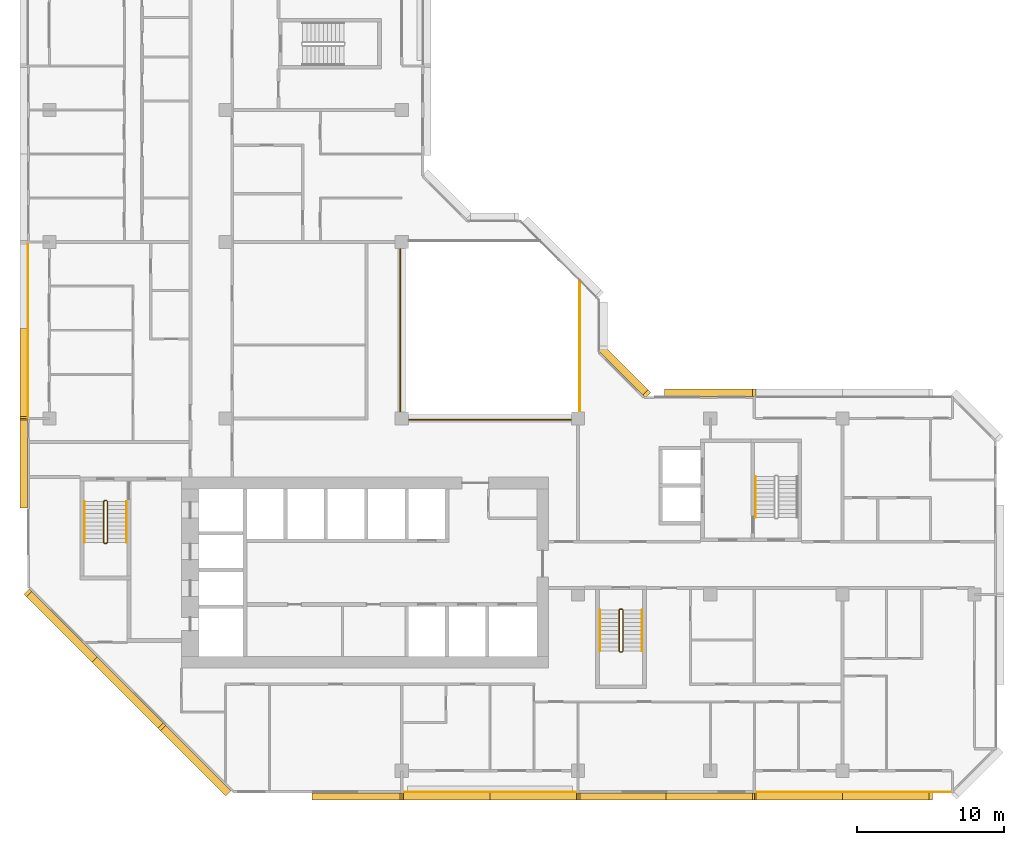
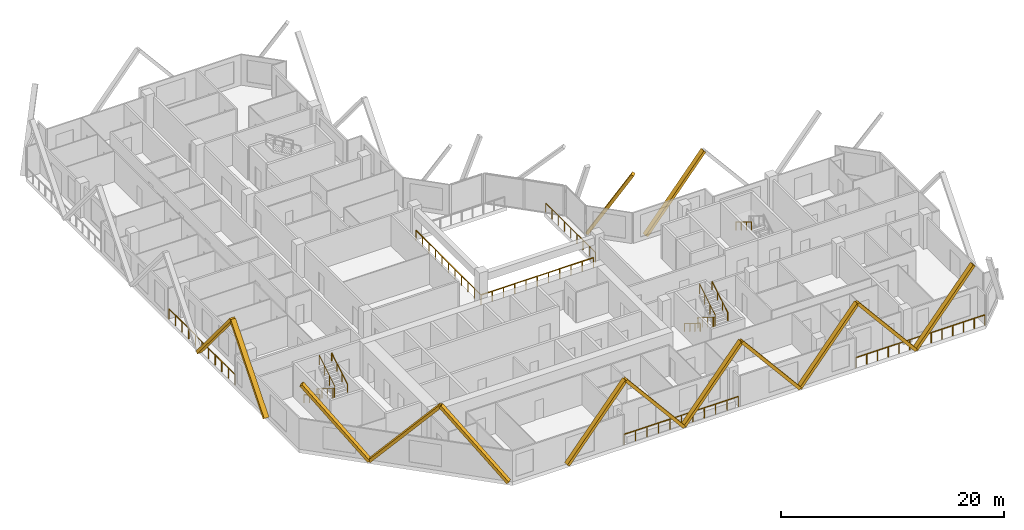
# One storey, part 13 of 14: 14 coverings, 12 railings.
"""IFC4 building model written with IfcOpenShell, lengths in metres."""

from ifc_helpers import new_model, si_unit, direction, frame, origin, origin_2d, place, context, subcontext, project, spatial, rectangle, extrude, material, material_profile, profile_set, type_object, element, save


model = new_model("IFC4")

# Units and contexts
model_context = context("Model", 3, precision=1e-05, world=origin(), true_north=direction((0.0, 1.0)))
body_context = subcontext(model_context, "Body", "Model", "MODEL_VIEW")
ifc_project = project(units=[si_unit("LENGTHUNIT", "METRE"), si_unit("AREAUNIT", "SQUARE_METRE"), si_unit("VOLUMEUNIT", "CUBIC_METRE"), si_unit("PLANEANGLEUNIT", "RADIAN"), si_unit("MASSUNIT", "GRAM", prefix="KILO")], contexts=[model_context])

# Site, building, storey
site_placement = place(None, origin())
site = spatial("IfcSite", under=ifc_project, at=site_placement, CompositionType="ELEMENT")
building_placement = place(site_placement, origin())
building = spatial("IfcBuilding", under=site, at=building_placement, Name="Chenar Terraces", CompositionType="ELEMENT")
storey_placement = place(building_placement, frame((0.0, 0.0, 157.39990234375)))
storey = spatial("IfcBuildingStorey", under=building, at=storey_placement, Name="L35", CompositionType="ELEMENT", Elevation=157.39990234375)

# Railings
ifc_material_1 = material(Name="Powder-coated steel", Category="steel")
railing_type_1 = type_object("IfcRailingType", Name="Guard 1100 steel rail with glass infill", PredefinedType="GUARDRAIL", material=ifc_material_1)
railing_1_placement = place(storey_placement, frame((23.89990234375, 35.550048828125, 0.0)))
element("IfcRailing", 1, at=railing_1_placement, inside=storey, type_object=railing_type_1, Name="Guard L35-1", PredefinedType="GUARDRAIL", context=body_context, shape_type="SweptSolid", body=[
    extrude(rectangle(XDim=0.06005859375, YDim=0.06005859375, at=origin_2d()), frame((0.0, 0.0, 1.070068359375), z_axis=(0.0, -1.0, 0.0), x_axis=(1.0, 0.0, 0.0)), (0.0, 0.0, 1.0), 11.650146484375),
    extrude(rectangle(XDim=0.06005859375, YDim=0.06005859375, at=origin_2d()), frame((0.0, -11.650146484375, 1.070068359375), z_axis=(1.0, 0.0, 0.0), x_axis=(0.0, 1.0, 0.0)), (0.0, 0.0, 1.0), 11.650146484375),
    extrude(rectangle(XDim=0.050048828125, YDim=0.050048828125, at=origin_2d()), origin(), (0.0, 0.0, 1.0), 1.0400390625),
    extrude(rectangle(XDim=0.050048828125, YDim=0.050048828125, at=origin_2d()), frame((0.0, -1.1650390625, 0.0)), (0.0, 0.0, 1.0), 1.0400390625),
    extrude(rectangle(XDim=0.050048828125, YDim=0.050048828125, at=origin_2d()), frame((0.0, -2.330078125, 0.0)), (0.0, 0.0, 1.0), 1.0400390625),
    extrude(rectangle(XDim=0.050048828125, YDim=0.050048828125, at=origin_2d()), frame((0.0, -3.4951171875, 0.0)), (0.0, 0.0, 1.0), 1.0400390625),
    extrude(rectangle(XDim=0.050048828125, YDim=0.050048828125, at=origin_2d()), frame((0.0, -4.66015625, 0.0)), (0.0, 0.0, 1.0), 1.0400390625),
    extrude(rectangle(XDim=0.050048828125, YDim=0.050048828125, at=origin_2d()), frame((0.0, -5.8251953125, 0.0)), (0.0, 0.0, 1.0), 1.0400390625),
    extrude(rectangle(XDim=0.050048828125, YDim=0.050048828125, at=origin_2d()), frame((0.0, -6.989990234375, 0.0)), (0.0, 0.0, 1.0), 1.0400390625),
    extrude(rectangle(XDim=0.050048828125, YDim=0.050048828125, at=origin_2d()), frame((0.0, -8.155029296875, 0.0)), (0.0, 0.0, 1.0), 1.0400390625),
    extrude(rectangle(XDim=0.050048828125, YDim=0.050048828125, at=origin_2d()), frame((0.0, -9.320068359375, 0.0)), (0.0, 0.0, 1.0), 1.0400390625),
    extrude(rectangle(XDim=0.050048828125, YDim=0.050048828125, at=origin_2d()), frame((0.0, -10.485107421875, 0.0)), (0.0, 0.0, 1.0), 1.0400390625),
    extrude(rectangle(XDim=0.050048828125, YDim=0.050048828125, at=origin_2d()), frame((0.0, -11.650146484375, 0.0)), (0.0, 0.0, 1.0), 1.0400390625),
    extrude(rectangle(XDim=0.050048828125, YDim=0.050048828125, at=origin_2d()), frame((1.1650390625, -11.650146484375, 0.0)), (0.0, 0.0, 1.0), 1.0400390625),
    extrude(rectangle(XDim=0.050048828125, YDim=0.050048828125, at=origin_2d()), frame((2.330078125, -11.650146484375, 0.0)), (0.0, 0.0, 1.0), 1.0400390625),
    extrude(rectangle(XDim=0.050048828125, YDim=0.050048828125, at=origin_2d()), frame((3.4951171875, -11.650146484375, 0.0)), (0.0, 0.0, 1.0), 1.0400390625),
    extrude(rectangle(XDim=0.050048828125, YDim=0.050048828125, at=origin_2d()), frame((4.66015625, -11.650146484375, 0.0)), (0.0, 0.0, 1.0), 1.0400390625),
    extrude(rectangle(XDim=0.050048828125, YDim=0.050048828125, at=origin_2d()), frame((5.8251953125, -11.650146484375, 0.0)), (0.0, 0.0, 1.0), 1.0400390625),
    extrude(rectangle(XDim=0.050048828125, YDim=0.050048828125, at=origin_2d()), frame((6.989990234375, -11.650146484375, 0.0)), (0.0, 0.0, 1.0), 1.0400390625),
    extrude(rectangle(XDim=0.050048828125, YDim=0.050048828125, at=origin_2d()), frame((8.155029296875, -11.650146484375, 0.0)), (0.0, 0.0, 1.0), 1.0400390625),
    extrude(rectangle(XDim=0.050048828125, YDim=0.050048828125, at=origin_2d()), frame((9.320068359375, -11.650146484375, 0.0)), (0.0, 0.0, 1.0), 1.0400390625),
    extrude(rectangle(XDim=0.050048828125, YDim=0.050048828125, at=origin_2d()), frame((10.485107421875, -11.650146484375, 0.0)), (0.0, 0.0, 1.0), 1.0400390625),
    extrude(rectangle(XDim=0.050048828125, YDim=0.050048828125, at=origin_2d()), frame((11.650146484375, -11.650146484375, 0.0)), (0.0, 0.0, 1.0), 1.0400390625),
])
railing_2_placement = place(storey_placement, frame((36.10009765625, 24.5, 0.0)))
element("IfcRailing", 2, at=railing_2_placement, inside=storey, type_object=railing_type_1, Name="Guard L35-3", PredefinedType="GUARDRAIL", context=body_context, shape_type="SweptSolid", body=[
    extrude(rectangle(XDim=0.06005859375, YDim=0.06005859375, at=origin_2d()), frame((0.0, 0.0, 1.070068359375), z_axis=(0.0, 1.0, 0.0), x_axis=(-1.0, 0.0, 0.0)), (0.0, 0.0, 1.0), 8.89990234375),
    extrude(rectangle(XDim=0.050048828125, YDim=0.050048828125, at=origin_2d()), origin(), (0.0, 0.0, 1.0), 1.0400390625),
    extrude(rectangle(XDim=0.050048828125, YDim=0.050048828125, at=origin_2d()), frame((0.0, 1.112548828125, 0.0)), (0.0, 0.0, 1.0), 1.0400390625),
    extrude(rectangle(XDim=0.050048828125, YDim=0.050048828125, at=origin_2d()), frame((0.0, 2.22509765625, 0.0)), (0.0, 0.0, 1.0), 1.0400390625),
    extrude(rectangle(XDim=0.050048828125, YDim=0.050048828125, at=origin_2d()), frame((0.0, 3.33740234375, 0.0)), (0.0, 0.0, 1.0), 1.0400390625),
    extrude(rectangle(XDim=0.050048828125, YDim=0.050048828125, at=origin_2d()), frame((0.0, 4.449951171875, 0.0)), (0.0, 0.0, 1.0), 1.0400390625),
    extrude(rectangle(XDim=0.050048828125, YDim=0.050048828125, at=origin_2d()), frame((0.0, 5.5625, 0.0)), (0.0, 0.0, 1.0), 1.0400390625),
    extrude(rectangle(XDim=0.050048828125, YDim=0.050048828125, at=origin_2d()), frame((0.0, 6.6748046875, 0.0)), (0.0, 0.0, 1.0), 1.0400390625),
    extrude(rectangle(XDim=0.050048828125, YDim=0.050048828125, at=origin_2d()), frame((0.0, 7.787353515625, 0.0)), (0.0, 0.0, 1.0), 1.0400390625),
    extrude(rectangle(XDim=0.050048828125, YDim=0.050048828125, at=origin_2d()), frame((0.0, 8.89990234375, 0.0)), (0.0, 0.0, 1.0), 1.0400390625),
])
ifc_material_2 = material(Name="Stainless steel and glass", Category="steel")
railing_type_2 = type_object("IfcRailingType", Name="Loggia guard 1150", PredefinedType="GUARDRAIL", material=ifc_material_2)
railing_3_placement = place(storey_placement, frame((24.074951171875, -1.449951171875, 0.0)))
element("IfcRailing", 3, at=railing_3_placement, inside=storey, type_object=railing_type_2, Name="Loggia guard", PredefinedType="GUARDRAIL", context=body_context, shape_type="SweptSolid", body=[
    extrude(rectangle(XDim=0.048095703125, YDim=0.048095703125, at=origin_2d()), frame((0.0, 0.0, 1.1259765625), z_axis=(1.0, 0.0, 0.0), x_axis=(0.0, 1.0, 0.0)), (0.0, 0.0, 1.0), 11.85009765625),
    extrude(rectangle(XDim=0.0419921875, YDim=0.0419921875, at=origin_2d()), origin(), (0.0, 0.0, 1.0), 1.101806640625),
    extrude(rectangle(XDim=0.0419921875, YDim=0.0419921875, at=origin_2d()), frame((1.18505859375, 0.0, 0.0)), (0.0, 0.0, 1.0), 1.101806640625),
    extrude(rectangle(XDim=0.0419921875, YDim=0.0419921875, at=origin_2d()), frame((2.3701171875, 0.0, 0.0)), (0.0, 0.0, 1.0), 1.101806640625),
    extrude(rectangle(XDim=0.0419921875, YDim=0.0419921875, at=origin_2d()), frame((3.554931640625, 0.0, 0.0)), (0.0, 0.0, 1.0), 1.101806640625),
    extrude(rectangle(XDim=0.0419921875, YDim=0.0419921875, at=origin_2d()), frame((4.739990234375, 0.0, 0.0)), (0.0, 0.0, 1.0), 1.101806640625),
    extrude(rectangle(XDim=0.0419921875, YDim=0.0419921875, at=origin_2d()), frame((5.925048828125, 0.0, 0.0)), (0.0, 0.0, 1.0), 1.101806640625),
    extrude(rectangle(XDim=0.0419921875, YDim=0.0419921875, at=origin_2d()), frame((7.110107421875, 0.0, 0.0)), (0.0, 0.0, 1.0), 1.101806640625),
    extrude(rectangle(XDim=0.0419921875, YDim=0.0419921875, at=origin_2d()), frame((8.295166015625, 0.0, 0.0)), (0.0, 0.0, 1.0), 1.101806640625),
    extrude(rectangle(XDim=0.0419921875, YDim=0.0419921875, at=origin_2d()), frame((9.47998046875, 0.0, 0.0)), (0.0, 0.0, 1.0), 1.101806640625),
    extrude(rectangle(XDim=0.0419921875, YDim=0.0419921875, at=origin_2d()), frame((10.6650390625, 0.0, 0.0)), (0.0, 0.0, 1.0), 1.101806640625),
    extrude(rectangle(XDim=0.0419921875, YDim=0.0419921875, at=origin_2d()), frame((11.85009765625, 0.0, 0.0)), (0.0, 0.0, 1.0), 1.101806640625),
])
railing_4_placement = place(storey_placement, frame((48.074951171875, -1.449951171875, 0.0)))
element("IfcRailing", 4, at=railing_4_placement, inside=storey, type_object=railing_type_2, Name="Loggia guard", PredefinedType="GUARDRAIL", context=body_context, shape_type="SweptSolid", body=[
    extrude(rectangle(XDim=0.048095703125, YDim=0.048095703125, at=origin_2d()), frame((0.0, 0.0, 1.1259765625), z_axis=(1.0, 0.0, 0.0), x_axis=(0.0, 1.0, 0.0)), (0.0, 0.0, 1.0), 13.35009765625),
    extrude(rectangle(XDim=0.0419921875, YDim=0.0419921875, at=origin_2d()), origin(), (0.0, 0.0, 1.0), 1.101806640625),
    extrude(rectangle(XDim=0.0419921875, YDim=0.0419921875, at=origin_2d()), frame((1.112548828125, 0.0, 0.0)), (0.0, 0.0, 1.0), 1.101806640625),
    extrude(rectangle(XDim=0.0419921875, YDim=0.0419921875, at=origin_2d()), frame((2.22509765625, 0.0, 0.0)), (0.0, 0.0, 1.0), 1.101806640625),
    extrude(rectangle(XDim=0.0419921875, YDim=0.0419921875, at=origin_2d()), frame((3.33740234375, 0.0, 0.0)), (0.0, 0.0, 1.0), 1.101806640625),
    extrude(rectangle(XDim=0.0419921875, YDim=0.0419921875, at=origin_2d()), frame((4.449951171875, 0.0, 0.0)), (0.0, 0.0, 1.0), 1.101806640625),
    extrude(rectangle(XDim=0.0419921875, YDim=0.0419921875, at=origin_2d()), frame((5.5625, 0.0, 0.0)), (0.0, 0.0, 1.0), 1.101806640625),
    extrude(rectangle(XDim=0.0419921875, YDim=0.0419921875, at=origin_2d()), frame((6.675048828125, 0.0, 0.0)), (0.0, 0.0, 1.0), 1.101806640625),
    extrude(rectangle(XDim=0.0419921875, YDim=0.0419921875, at=origin_2d()), frame((7.78759765625, 0.0, 0.0)), (0.0, 0.0, 1.0), 1.101806640625),
    extrude(rectangle(XDim=0.0419921875, YDim=0.0419921875, at=origin_2d()), frame((8.900146484375, 0.0, 0.0)), (0.0, 0.0, 1.0), 1.101806640625),
    extrude(rectangle(XDim=0.0419921875, YDim=0.0419921875, at=origin_2d()), frame((10.0126953125, 0.0, 0.0)), (0.0, 0.0, 1.0), 1.101806640625),
    extrude(rectangle(XDim=0.0419921875, YDim=0.0419921875, at=origin_2d()), frame((11.125, 0.0, 0.0)), (0.0, 0.0, 1.0), 1.101806640625),
    extrude(rectangle(XDim=0.0419921875, YDim=0.0419921875, at=origin_2d()), frame((12.237548828125, 0.0, 0.0)), (0.0, 0.0, 1.0), 1.101806640625),
    extrude(rectangle(XDim=0.0419921875, YDim=0.0419921875, at=origin_2d()), frame((13.35009765625, 0.0, 0.0)), (0.0, 0.0, 1.0), 1.101806640625),
])
railing_5_placement = place(storey_placement, frame((-1.449951171875, 35.925048828125, 0.0)))
element("IfcRailing", 5, at=railing_5_placement, inside=storey, type_object=railing_type_2, Name="Loggia guard", PredefinedType="GUARDRAIL", context=body_context, shape_type="SweptSolid", body=[
    extrude(rectangle(XDim=0.048095703125, YDim=0.048095703125, at=origin_2d()), frame((0.0, 0.0, 1.1259765625), z_axis=(0.0, -1.0, 0.0), x_axis=(1.0, 0.0, 0.0)), (0.0, 0.0, 1.0), 11.85009765625),
    extrude(rectangle(XDim=0.0419921875, YDim=0.0419921875, at=origin_2d()), origin(), (0.0, 0.0, 1.0), 1.101806640625),
    extrude(rectangle(XDim=0.0419921875, YDim=0.0419921875, at=origin_2d()), frame((0.0, -1.18505859375, 0.0)), (0.0, 0.0, 1.0), 1.101806640625),
    extrude(rectangle(XDim=0.0419921875, YDim=0.0419921875, at=origin_2d()), frame((0.0, -2.3701171875, 0.0)), (0.0, 0.0, 1.0), 1.101806640625),
    extrude(rectangle(XDim=0.0419921875, YDim=0.0419921875, at=origin_2d()), frame((0.0, -3.554931640625, 0.0)), (0.0, 0.0, 1.0), 1.101806640625),
    extrude(rectangle(XDim=0.0419921875, YDim=0.0419921875, at=origin_2d()), frame((0.0, -4.739990234375, 0.0)), (0.0, 0.0, 1.0), 1.101806640625),
    extrude(rectangle(XDim=0.0419921875, YDim=0.0419921875, at=origin_2d()), frame((0.0, -5.925048828125, 0.0)), (0.0, 0.0, 1.0), 1.101806640625),
    extrude(rectangle(XDim=0.0419921875, YDim=0.0419921875, at=origin_2d()), frame((0.0, -7.110107421875, 0.0)), (0.0, 0.0, 1.0), 1.101806640625),
    extrude(rectangle(XDim=0.0419921875, YDim=0.0419921875, at=origin_2d()), frame((0.0, -8.295166015625, 0.0)), (0.0, 0.0, 1.0), 1.101806640625),
    extrude(rectangle(XDim=0.0419921875, YDim=0.0419921875, at=origin_2d()), frame((0.0, -9.47998046875, 0.0)), (0.0, 0.0, 1.0), 1.101806640625),
    extrude(rectangle(XDim=0.0419921875, YDim=0.0419921875, at=origin_2d()), frame((0.0, -10.6650390625, 0.0)), (0.0, 0.0, 1.0), 1.101806640625),
    extrude(rectangle(XDim=0.0419921875, YDim=0.0419921875, at=origin_2d()), frame((0.0, -11.85009765625, 0.0)), (0.0, 0.0, 1.0), 1.101806640625),
])
ifc_material_3 = material(Name="Powder-coated steel", Category="steel")
railing_type_3 = type_object("IfcRailingType", Name="Stair guard 1100", PredefinedType="GUARDRAIL", material=ifc_material_3)
railing_6_placement = place(storey_placement, frame((3.949951171875, 18.35009765625, 3.75)))
element("IfcRailing", 6, at=railing_6_placement, inside=storey, type_object=railing_type_3, Name="L35 ST1 stair guard 1", PredefinedType="GUARDRAIL", context=body_context, shape_type="SweptSolid", body=[
    extrude(rectangle(XDim=0.048095703125, YDim=0.048095703125, at=origin_2d()), frame((0.0, 0.0, 1.076171875), z_axis=(0.0, -0.854202870247, -0.519939858505), x_axis=(1.0, 0.0, 0.0)), (0.0, 0.0, 1.0), 3.278076171875),
    extrude(rectangle(XDim=0.048095703125, YDim=0.048095703125, at=origin_2d()), frame((0.0, -2.800048828125, -0.62841796875), z_axis=(-0.270899902878, -0.270899902878, -0.923702595667), x_axis=(0.707106781187, -0.707106781187, 0.0)), (0.0, 0.0, 1.0), 0.184814453125),
    extrude(rectangle(XDim=0.048095703125, YDim=0.048095703125, at=origin_2d()), frame((-0.050048828125, -2.85009765625, -0.798828125), z_axis=(-1.0, 0.0, 0.0), x_axis=(0.0, -1.0, 0.0)), (0.0, 0.0, 1.0), 0.14990234375),
    extrude(rectangle(XDim=0.048095703125, YDim=0.048095703125, at=origin_2d()), frame((-0.199951171875, -2.85009765625, -0.798828125), z_axis=(-0.707106781187, 0.707106781187, 0.0), x_axis=(-0.707106781187, -0.707106781187, 0.0)), (0.0, 0.0, 1.0), 0.07080078125),
    extrude(rectangle(XDim=0.048095703125, YDim=0.048095703125, at=origin_2d()), frame((-0.25, -2.800048828125, -0.798828125), z_axis=(0.0, 0.854202870247, -0.519939858505), x_axis=(-1.0, 0.0, 0.0)), (0.0, 0.0, 1.0), 3.278076171875),
    extrude(rectangle(XDim=0.048095703125, YDim=0.048095703125, at=origin_2d()), frame((-0.25, 0.0, -2.50341796875), z_axis=(0.270996696079, 0.269674760976, -0.924032636873), x_axis=(-0.705375805398, 0.708833529934, 0.0)), (0.0, 0.0, 1.0), 0.1845703125),
    extrude(rectangle(XDim=0.048095703125, YDim=0.048095703125, at=origin_2d()), frame((-0.199951171875, 0.0498046875, -2.673828125), z_axis=(1.0, 0.0, 0.0), x_axis=(0.0, 1.0, 0.0)), (0.0, 0.0, 1.0), 0.14990234375),
    extrude(rectangle(XDim=0.0419921875, YDim=0.0419921875, at=origin_2d()), origin(), (0.0, 0.0, 1.0), 1.052001953125),
    extrude(rectangle(XDim=0.0419921875, YDim=0.0419921875, at=origin_2d()), frame((0.0, -0.933349609375, -0.568115234375)), (0.0, 0.0, 1.0), 1.052001953125),
    extrude(rectangle(XDim=0.0419921875, YDim=0.0419921875, at=origin_2d()), frame((0.0, -1.86669921875, -1.13623046875)), (0.0, 0.0, 1.0), 1.052001953125),
    extrude(rectangle(XDim=0.0419921875, YDim=0.0419921875, at=origin_2d()), frame((0.0, -2.800048828125, -1.704345703125)), (0.0, 0.0, 1.0), 1.052001953125),
    extrude(rectangle(XDim=0.0419921875, YDim=0.0419921875, at=origin_2d()), frame((-0.050048828125, -2.85009765625, -1.875)), (0.0, 0.0, 1.0), 1.052001953125),
    extrude(rectangle(XDim=0.0419921875, YDim=0.0419921875, at=origin_2d()), frame((-0.199951171875, -2.85009765625, -1.875)), (0.0, 0.0, 1.0), 1.052001953125),
    extrude(rectangle(XDim=0.0419921875, YDim=0.0419921875, at=origin_2d()), frame((-0.25, -2.800048828125, -1.875)), (0.0, 0.0, 1.0), 1.052001953125),
    extrude(rectangle(XDim=0.0419921875, YDim=0.0419921875, at=origin_2d()), frame((-0.25, -1.86669921875, -2.443115234375)), (0.0, 0.0, 1.0), 1.052001953125),
    extrude(rectangle(XDim=0.0419921875, YDim=0.0419921875, at=origin_2d()), frame((-0.25, -0.933349609375, -3.01123046875)), (0.0, 0.0, 1.0), 1.052001953125),
    extrude(rectangle(XDim=0.0419921875, YDim=0.0419921875, at=origin_2d()), frame((-0.25, 0.0, -3.579345703125)), (0.0, 0.0, 1.0), 1.052001953125),
    extrude(rectangle(XDim=0.0419921875, YDim=0.0419921875, at=origin_2d()), frame((-0.199951171875, 0.0498046875, -3.75)), (0.0, 0.0, 1.0), 1.052001953125),
    extrude(rectangle(XDim=0.0419921875, YDim=0.0419921875, at=origin_2d()), frame((-0.050048828125, 0.0498046875, -3.75)), (0.0, 0.0, 1.0), 1.052001953125),
])
railing_7_placement = place(storey_placement, frame((39.050048828125, 10.949951171875, 3.75)))
element("IfcRailing", 7, at=railing_7_placement, inside=storey, type_object=railing_type_3, Name="L35 ST2 stair guard 1", PredefinedType="GUARDRAIL", context=body_context, shape_type="SweptSolid", body=[
    extrude(rectangle(XDim=0.048095703125, YDim=0.048095703125, at=origin_2d()), frame((0.0, 0.0, 1.076171875), z_axis=(0.0, -0.854202870247, -0.519939858505), x_axis=(1.0, 0.0, 0.0)), (0.0, 0.0, 1.0), 3.278076171875),
    extrude(rectangle(XDim=0.048095703125, YDim=0.048095703125, at=origin_2d()), frame((0.0, -2.800048828125, -0.62841796875), z_axis=(-0.270996696079, -0.269674760976, -0.924032636873), x_axis=(0.705375805398, -0.708833529934, 0.0)), (0.0, 0.0, 1.0), 0.1845703125),
    extrude(rectangle(XDim=0.048095703125, YDim=0.048095703125, at=origin_2d()), frame((-0.050048828125, -2.849853515625, -0.798828125), z_axis=(-1.0, 0.0, 0.0), x_axis=(0.0, -1.0, 0.0)), (0.0, 0.0, 1.0), 0.14990234375),
    extrude(rectangle(XDim=0.048095703125, YDim=0.048095703125, at=origin_2d()), frame((-0.199951171875, -2.849853515625, -0.798828125), z_axis=(-0.708833529934, 0.705375805398, 0.0), x_axis=(-0.705375805398, -0.708833529934, 0.0)), (0.0, 0.0, 1.0), 0.070556640625),
    extrude(rectangle(XDim=0.048095703125, YDim=0.048095703125, at=origin_2d()), frame((-0.25, -2.800048828125, -0.798828125), z_axis=(0.0, 0.854202870247, -0.519939858505), x_axis=(-1.0, 0.0, 0.0)), (0.0, 0.0, 1.0), 3.278076171875),
    extrude(rectangle(XDim=0.048095703125, YDim=0.048095703125, at=origin_2d()), frame((-0.25, 0.0, -2.50341796875), z_axis=(0.270899902878, 0.270899902878, -0.923702595667), x_axis=(-0.707106781187, 0.707106781187, 0.0)), (0.0, 0.0, 1.0), 0.184814453125),
    extrude(rectangle(XDim=0.048095703125, YDim=0.048095703125, at=origin_2d()), frame((-0.199951171875, 0.050048828125, -2.673828125), z_axis=(1.0, 0.0, 0.0), x_axis=(0.0, 1.0, 0.0)), (0.0, 0.0, 1.0), 0.14990234375),
    extrude(rectangle(XDim=0.0419921875, YDim=0.0419921875, at=origin_2d()), origin(), (0.0, 0.0, 1.0), 1.052001953125),
    extrude(rectangle(XDim=0.0419921875, YDim=0.0419921875, at=origin_2d()), frame((0.0, -0.933349609375, -0.568115234375)), (0.0, 0.0, 1.0), 1.052001953125),
    extrude(rectangle(XDim=0.0419921875, YDim=0.0419921875, at=origin_2d()), frame((0.0, -1.86669921875, -1.13623046875)), (0.0, 0.0, 1.0), 1.052001953125),
    extrude(rectangle(XDim=0.0419921875, YDim=0.0419921875, at=origin_2d()), frame((0.0, -2.800048828125, -1.704345703125)), (0.0, 0.0, 1.0), 1.052001953125),
    extrude(rectangle(XDim=0.0419921875, YDim=0.0419921875, at=origin_2d()), frame((-0.050048828125, -2.849853515625, -1.875)), (0.0, 0.0, 1.0), 1.052001953125),
    extrude(rectangle(XDim=0.0419921875, YDim=0.0419921875, at=origin_2d()), frame((-0.199951171875, -2.849853515625, -1.875)), (0.0, 0.0, 1.0), 1.052001953125),
    extrude(rectangle(XDim=0.0419921875, YDim=0.0419921875, at=origin_2d()), frame((-0.25, -2.800048828125, -1.875)), (0.0, 0.0, 1.0), 1.052001953125),
    extrude(rectangle(XDim=0.0419921875, YDim=0.0419921875, at=origin_2d()), frame((-0.25, -1.86669921875, -2.443115234375)), (0.0, 0.0, 1.0), 1.052001953125),
    extrude(rectangle(XDim=0.0419921875, YDim=0.0419921875, at=origin_2d()), frame((-0.25, -0.933349609375, -3.01123046875)), (0.0, 0.0, 1.0), 1.052001953125),
    extrude(rectangle(XDim=0.0419921875, YDim=0.0419921875, at=origin_2d()), frame((-0.25, 0.0, -3.579345703125)), (0.0, 0.0, 1.0), 1.052001953125),
    extrude(rectangle(XDim=0.0419921875, YDim=0.0419921875, at=origin_2d()), frame((-0.199951171875, 0.050048828125, -3.75)), (0.0, 0.0, 1.0), 1.052001953125),
    extrude(rectangle(XDim=0.0419921875, YDim=0.0419921875, at=origin_2d()), frame((-0.050048828125, 0.050048828125, -3.75)), (0.0, 0.0, 1.0), 1.052001953125),
])
ifc_material_4 = material(Name="Powder-coated steel", Category="steel")
railing_type_4 = type_object("IfcRailingType", Name="Stair handrail 900", PredefinedType="HANDRAIL", material=ifc_material_4)
railing_8_placement = place(storey_placement, frame((2.39990234375, 18.35009765625, 0.170654296875)))
element("IfcRailing", 8, at=railing_8_placement, inside=storey, type_object=railing_type_4, Name="L35 ST1 stair handrail 1", PredefinedType="HANDRAIL", context=body_context, shape_type="SweptSolid", body=[
    extrude(rectangle(XDim=0.048095703125, YDim=0.048095703125, at=origin_2d()), frame((0.0, 0.0, 0.8759765625), z_axis=(0.0, -0.854202870247, 0.519939858505), x_axis=(1.0, 0.0, 0.0)), (0.0, 0.0, 1.0), 3.278076171875),
    extrude(rectangle(XDim=0.0419921875, YDim=0.0419921875, at=origin_2d()), origin(), (0.0, 0.0, 1.0), 0.851806640625),
    extrude(rectangle(XDim=0.0419921875, YDim=0.0419921875, at=origin_2d()), frame((0.0, -0.933349609375, 0.568115234375)), (0.0, 0.0, 1.0), 0.851806640625),
    extrude(rectangle(XDim=0.0419921875, YDim=0.0419921875, at=origin_2d()), frame((0.0, -1.86669921875, 1.13623046875)), (0.0, 0.0, 1.0), 0.851806640625),
    extrude(rectangle(XDim=0.0419921875, YDim=0.0419921875, at=origin_2d()), frame((0.0, -2.800048828125, 1.704345703125)), (0.0, 0.0, 1.0), 0.851806640625),
])
railing_9_placement = place(storey_placement, frame((5.25, 15.550048828125, 2.045654296875)))
element("IfcRailing", 9, at=railing_9_placement, inside=storey, type_object=railing_type_4, Name="L35 ST1 stair handrail 2", PredefinedType="HANDRAIL", context=body_context, shape_type="SweptSolid", body=[
    extrude(rectangle(XDim=0.048095703125, YDim=0.048095703125, at=origin_2d()), frame((0.0, 0.0, 0.8759765625), z_axis=(0.0, 0.854202870247, 0.519939858505), x_axis=(-1.0, 0.0, 0.0)), (0.0, 0.0, 1.0), 3.278076171875),
    extrude(rectangle(XDim=0.0419921875, YDim=0.0419921875, at=origin_2d()), origin(), (0.0, 0.0, 1.0), 0.851806640625),
    extrude(rectangle(XDim=0.0419921875, YDim=0.0419921875, at=origin_2d()), frame((0.0, 0.933349609375, 0.568115234375)), (0.0, 0.0, 1.0), 0.851806640625),
    extrude(rectangle(XDim=0.0419921875, YDim=0.0419921875, at=origin_2d()), frame((0.0, 1.86669921875, 1.13623046875)), (0.0, 0.0, 1.0), 0.851806640625),
    extrude(rectangle(XDim=0.0419921875, YDim=0.0419921875, at=origin_2d()), frame((0.0, 2.800048828125, 1.704345703125)), (0.0, 0.0, 1.0), 0.851806640625),
])
railing_10_placement = place(storey_placement, frame((37.5, 10.949951171875, 0.170654296875)))
element("IfcRailing", 10, at=railing_10_placement, inside=storey, type_object=railing_type_4, Name="L35 ST2 stair handrail 1", PredefinedType="HANDRAIL", context=body_context, shape_type="SweptSolid", body=[
    extrude(rectangle(XDim=0.048095703125, YDim=0.048095703125, at=origin_2d()), frame((0.0, 0.0, 0.8759765625), z_axis=(0.0, -0.854202870247, 0.519939858505), x_axis=(1.0, 0.0, 0.0)), (0.0, 0.0, 1.0), 3.278076171875),
    extrude(rectangle(XDim=0.0419921875, YDim=0.0419921875, at=origin_2d()), origin(), (0.0, 0.0, 1.0), 0.851806640625),
    extrude(rectangle(XDim=0.0419921875, YDim=0.0419921875, at=origin_2d()), frame((0.0, -0.933349609375, 0.568115234375)), (0.0, 0.0, 1.0), 0.851806640625),
    extrude(rectangle(XDim=0.0419921875, YDim=0.0419921875, at=origin_2d()), frame((0.0, -1.86669921875, 1.13623046875)), (0.0, 0.0, 1.0), 0.851806640625),
    extrude(rectangle(XDim=0.0419921875, YDim=0.0419921875, at=origin_2d()), frame((0.0, -2.800048828125, 1.704345703125)), (0.0, 0.0, 1.0), 0.851806640625),
])
railing_11_placement = place(storey_placement, frame((40.35009765625, 8.14990234375, 2.045654296875)))
element("IfcRailing", 11, at=railing_11_placement, inside=storey, type_object=railing_type_4, Name="L35 ST2 stair handrail 2", PredefinedType="HANDRAIL", context=body_context, shape_type="SweptSolid", body=[
    extrude(rectangle(XDim=0.048095703125, YDim=0.048095703125, at=origin_2d()), frame((0.0, 0.0, 0.8759765625), z_axis=(0.0, 0.854202870247, 0.519939858505), x_axis=(-1.0, 0.0, 0.0)), (0.0, 0.0, 1.0), 3.278076171875),
    extrude(rectangle(XDim=0.0419921875, YDim=0.0419921875, at=origin_2d()), origin(), (0.0, 0.0, 1.0), 0.851806640625),
    extrude(rectangle(XDim=0.0419921875, YDim=0.0419921875, at=origin_2d()), frame((0.0, 0.933349609375, 0.568115234375)), (0.0, 0.0, 1.0), 0.851806640625),
    extrude(rectangle(XDim=0.0419921875, YDim=0.0419921875, at=origin_2d()), frame((0.0, 1.86669921875, 1.13623046875)), (0.0, 0.0, 1.0), 0.851806640625),
    extrude(rectangle(XDim=0.0419921875, YDim=0.0419921875, at=origin_2d()), frame((0.0, 2.800048828125, 1.704345703125)), (0.0, 0.0, 1.0), 0.851806640625),
])
railing_12_placement = place(storey_placement, frame((48.074951171875, 20.050048828125, 2.045654296875)))
element("IfcRailing", 12, at=railing_12_placement, inside=storey, type_object=railing_type_4, Name="L35 ST3 stair handrail 2", PredefinedType="HANDRAIL", context=body_context, shape_type="SweptSolid", body=[
    extrude(rectangle(XDim=0.048095703125, YDim=0.048095703125, at=origin_2d()), frame((0.0, 0.0, 0.8759765625), z_axis=(0.0, -0.854202870247, 0.519939858505), x_axis=(1.0, 0.0, 0.0)), (0.0, 0.0, 1.0), 3.278076171875),
    extrude(rectangle(XDim=0.0419921875, YDim=0.0419921875, at=origin_2d()), origin(), (0.0, 0.0, 1.0), 0.851806640625),
    extrude(rectangle(XDim=0.0419921875, YDim=0.0419921875, at=origin_2d()), frame((0.0, -0.933349609375, 0.568115234375)), (0.0, 0.0, 1.0), 0.851806640625),
    extrude(rectangle(XDim=0.0419921875, YDim=0.0419921875, at=origin_2d()), frame((0.0, -1.86669921875, 1.13623046875)), (0.0, 0.0, 1.0), 0.851806640625),
    extrude(rectangle(XDim=0.0419921875, YDim=0.0419921875, at=origin_2d()), frame((0.0, -2.800048828125, 1.704345703125)), (0.0, 0.0, 1.0), 0.851806640625),
])

# Coverings
ifc_material_5 = material(Name="Terracotta", Category="masonry")
ifc_material_profile = material_profile(ifc_material_5, rectangle(XDim=0.5, YDim=0.300048828125, at=origin_2d()), Name="Terracotta baguette 500 x 300")
ifc_profile_set = profile_set([ifc_material_profile], Name="Terracotta")
covering_type = type_object("IfcCoveringType", Name="Terracotta baguette 500 x 300", PredefinedType="CLADDING", material=ifc_profile_set)
covering_1_placement = place(storey_placement, frame((48.0, 25.75, 7.35009765625), z_axis=(-0.640186961885, 0.0, -0.768219144407), x_axis=(0.0, -1.0, 0.0)))
element("IfcCovering", 13, at=covering_1_placement, inside=storey, type_object=covering_type, Name="Terracotta baguette", PredefinedType="CLADDING", context=body_context, shape_type="SweptSolid", body=[
    extrude(rectangle(XDim=0.5, YDim=0.300048828125, at=origin_2d()), origin(), (0.0, 0.0, 1.0), 9.372314453125),
])
covering_2_placement = place(storey_placement, frame((40.6767578125, 25.6767578125, 7.35009765625), z_axis=(-0.358980886355, 0.358980886355, -0.861548284464), x_axis=(-0.707106781187, -0.707106781187, 0.0)))
element("IfcCovering", 14, at=covering_2_placement, inside=storey, type_object=covering_type, Name="Terracotta baguette", PredefinedType="CLADDING", context=body_context, shape_type="SweptSolid", body=[
    extrude(rectangle(XDim=0.5, YDim=0.300048828125, at=origin_2d()), origin(), (0.0, 0.0, 1.0), 8.35693359375),
])
for number, where, z_axis, x_axis, name in (
    (15, (-1.75, 30.0, 0.150146484375), (0.0, -0.640186961885, 0.768219144407), (1.0, 0.0, 0.0), "Terracotta baguette"),
    (16, (-1.75, 24.0, 7.35009765625), (0.0, -0.640186961885, -0.768219144407), (1.0, 0.0, 0.0), "Terracotta baguette"),
):
    element("IfcCovering", number, at=place(storey_placement, frame(where, z_axis=z_axis, x_axis=x_axis)), inside=storey, type_object=covering_type, Name=name, PredefinedType="CLADDING", context=body_context, shape_type="SweptSolid", body=[
        extrude(rectangle(XDim=0.5, YDim=0.300048828125, at=origin_2d()), origin(), (0.0, 0.0, 1.0), 9.372314453125),
    ])
covering_3_placement = place(storey_placement, frame((-1.464599609375, 12.111083984375, 7.35009765625), z_axis=(0.465624035565, -0.465624035565, -0.752587878595), x_axis=(0.707106781187, 0.707106781187, 0.0)))
element("IfcCovering", 17, at=covering_3_placement, inside=storey, type_object=covering_type, Name="Terracotta baguette", PredefinedType="CLADDING", context=body_context, shape_type="SweptSolid", body=[
    extrude(rectangle(XDim=0.5, YDim=0.300048828125, at=origin_2d()), origin(), (0.0, 0.0, 1.0), 9.56689453125),
])
covering_4_placement = place(storey_placement, frame((2.989990234375, 7.656494140625, 0.150146484375), z_axis=(0.477788925607, -0.477788925607, 0.737180768289), x_axis=(0.707106781187, 0.707106781187, 0.0)))
element("IfcCovering", 18, at=covering_4_placement, inside=storey, type_object=covering_type, Name="Terracotta baguette", PredefinedType="CLADDING", context=body_context, shape_type="SweptSolid", body=[
    extrude(rectangle(XDim=0.5, YDim=0.300048828125, at=origin_2d()), origin(), (0.0, 0.0, 1.0), 9.766845703125),
])
covering_5_placement = place(storey_placement, frame((7.656494140625, 2.989990234375, 7.35009765625), z_axis=(0.465624035565, -0.465624035565, -0.752587878595), x_axis=(0.707106781187, 0.707106781187, 0.0)))
element("IfcCovering", 19, at=covering_5_placement, inside=storey, type_object=covering_type, Name="Terracotta baguette", PredefinedType="CLADDING", context=body_context, shape_type="SweptSolid", body=[
    extrude(rectangle(XDim=0.5, YDim=0.300048828125, at=origin_2d()), origin(), (0.0, 0.0, 1.0), 9.56689453125),
])
for number, where, z_axis, x_axis, name in (
    (20, (18.0, -1.75, 0.150146484375), (0.640186961885, 0.0, 0.768219144407), (0.0, 1.0, 0.0), "Terracotta baguette"),
    (21, (24.0, -1.75, 7.35009765625), (0.640186961885, 0.0, -0.768219144407), (0.0, 1.0, 0.0), "Terracotta baguette"),
    (22, (30.0, -1.75, 0.150146484375), (0.640186961885, 0.0, 0.768219144407), (0.0, 1.0, 0.0), "Terracotta baguette"),
    (23, (36.0, -1.75, 7.35009765625), (0.640186961885, 0.0, -0.768219144407), (0.0, 1.0, 0.0), "Terracotta baguette"),
    (24, (42.0, -1.75, 0.150146484375), (0.640186961885, 0.0, 0.768219144407), (0.0, 1.0, 0.0), "Terracotta baguette"),
    (25, (48.0, -1.75, 7.35009765625), (0.640186961885, 0.0, -0.768219144407), (0.0, 1.0, 0.0), "Terracotta baguette"),
    (26, (54.0, -1.75, 0.150146484375), (0.640186961885, 0.0, 0.768219144407), (0.0, 1.0, 0.0), "Terracotta baguette"),
):
    element("IfcCovering", number, at=place(storey_placement, frame(where, z_axis=z_axis, x_axis=x_axis)), inside=storey, type_object=covering_type, Name=name, PredefinedType="CLADDING", context=body_context, shape_type="SweptSolid", body=[
        extrude(rectangle(XDim=0.5, YDim=0.300048828125, at=origin_2d()), origin(), (0.0, 0.0, 1.0), 9.372314453125),
    ])

save(model, "model.ifc")
